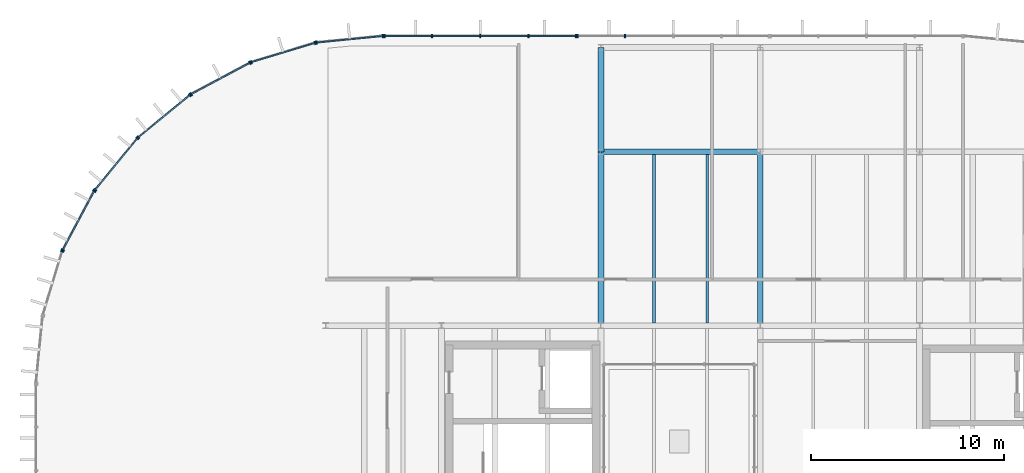
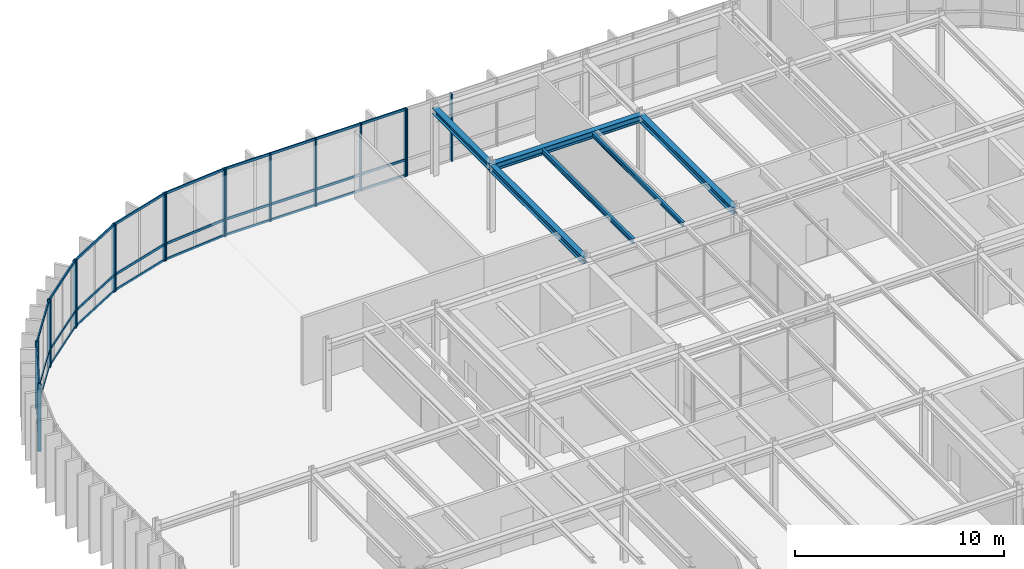
# One storey, part 13 of 21: 41 members, 6 beams, 9 elements without a shape of their own.
"""IFC4 building model written with IfcOpenShell, lengths in metres."""

from ifc_helpers import new_model, si_unit, direction, frame, origin, origin_2d, place, context, subcontext, project, spatial, rectangle, i_section, extrude, material, layer, layer_set, material_profile, profile_set, type_object, element, aggregate, save


model = new_model("IFC4")

# Units and contexts
model_context = context("Model", 3, precision=1e-05, world=origin(), true_north=direction((0.0, 1.0)))
body_context = subcontext(model_context, "Body", "Model", "MODEL_VIEW")
ifc_project = project(units=[si_unit("LENGTHUNIT", "METRE"), si_unit("AREAUNIT", "SQUARE_METRE"), si_unit("VOLUMEUNIT", "CUBIC_METRE"), si_unit("PLANEANGLEUNIT", "RADIAN"), si_unit("MASSUNIT", "GRAM", prefix="KILO")], contexts=[model_context])

# Site, building, storey
site_placement = place(None, origin())
site = spatial("IfcSite", under=ifc_project, at=site_placement, CompositionType="ELEMENT")
building_placement = place(site_placement, origin())
building = spatial("IfcBuilding", under=site, at=building_placement, Name="Montealbar Specialist Clinic", CompositionType="ELEMENT")
storey_placement = place(building_placement, frame((0.0, 0.0, 26.39990234375)))
storey = spatial("IfcBuildingStorey", under=building, at=storey_placement, Name="L06", CompositionType="ELEMENT", Elevation=26.39990234375)

# Beams
ifc_material_1 = material(Name="Steel S355", Category="steel")
ifc_material_profile_1 = material_profile(ifc_material_1, i_section(OverallWidth=0.300048828125, OverallDepth=0.360107421875, WebThickness=0.012451171875, FlangeThickness=0.0224609375, FilletRadius=0.027099609375, at=origin_2d()), Name="HEB 360", Category="steel")
ifc_profile_set_1 = profile_set([ifc_material_profile_1], Name="Steel S355")
beam_type_1 = type_object("IfcBeamType", Name="BM-GIRD-HEB360-EXT", PredefinedType="BEAM", material=ifc_profile_set_1)
beam_1_placement = place(storey_placement, frame((74.25, 45.0, 3.75), z_axis=(0.0, 1.0, 0.0), x_axis=(-1.0, 0.0, 0.0)))
element("IfcBeam", 1, at=beam_1_placement, inside=storey, type_object=beam_type_1, Name="Beam GY-L06-742-450-504", PredefinedType="BEAM", context=body_context, shape_type="SweptSolid", body=[
    extrude(i_section(OverallWidth=0.300048828125, OverallDepth=0.360107421875, WebThickness=0.012451171875, FlangeThickness=0.0224609375, FilletRadius=0.027099609375, at=origin_2d()), origin(), (0.0, 0.0, 1.0), 5.39990234375),
])
ifc_material_profile_2 = material_profile(ifc_material_1, i_section(OverallWidth=0.300048828125, OverallDepth=0.39990234375, WebThickness=0.013427734375, FlangeThickness=0.02392578125, FilletRadius=0.027099609375, at=origin_2d()), Name="HEB 400", Category="steel")
ifc_profile_set_2 = profile_set([ifc_material_profile_2], Name="Steel S355")
beam_type_2 = type_object("IfcBeamType", Name="BM-GIRD-HEB400-EXT", PredefinedType="BEAM", material=ifc_profile_set_2)
beam_2_placement = place(storey_placement, frame((74.25, 45.0, 3.72998046875), z_axis=(1.0, 0.0, 0.0), x_axis=(0.0, 1.0, 0.0)))
element("IfcBeam", 2, at=beam_2_placement, inside=storey, type_object=beam_type_2, Name="Beam GX-L06-742-825-450", PredefinedType="BEAM", context=body_context, shape_type="SweptSolid", body=[
    extrude(i_section(OverallWidth=0.300048828125, OverallDepth=0.39990234375, WebThickness=0.013427734375, FlangeThickness=0.02392578125, FilletRadius=0.027099609375, at=origin_2d()), origin(), (0.0, 0.0, 1.0), 8.25),
])
for number, where, z_axis, x_axis, name in (
    (3, (74.25, 36.0, 3.72998046875), (0.0, 1.0, 0.0), (-1.0, 0.0, 0.0), "Beam GY-L06-742-360-450"),
    (4, (82.5, 36.0, 3.72998046875), (0.0, 1.0, 0.0), (-1.0, 0.0, 0.0), "Beam GY-L06-825-360-450"),
):
    element("IfcBeam", number, at=place(storey_placement, frame(where, z_axis=z_axis, x_axis=x_axis)), inside=storey, type_object=beam_type_2, Name=name, PredefinedType="BEAM", context=body_context, shape_type="SweptSolid", body=[
        extrude(i_section(OverallWidth=0.300048828125, OverallDepth=0.39990234375, WebThickness=0.013427734375, FlangeThickness=0.02392578125, FilletRadius=0.027099609375, at=origin_2d()), origin(), (0.0, 0.0, 1.0), 9.0),
    ])
ifc_material_profile_3 = material_profile(ifc_material_1, i_section(OverallWidth=0.135009765625, OverallDepth=0.27001953125, WebThickness=0.006591796875, FlangeThickness=0.01025390625, FilletRadius=0.014892578125, at=origin_2d()), Name="IPE 270", Category="steel")
ifc_profile_set_3 = profile_set([ifc_material_profile_3], Name="Steel S355")
beam_type_3 = type_object("IfcBeamType", Name="BM-JST-IPE270", PredefinedType="JOIST", material=ifc_profile_set_3)
beam_3_placement = place(storey_placement, frame((79.75, 36.14990234375, 3.795166015625), z_axis=(0.0, 1.0, 0.0), x_axis=(-1.0, 0.0, 0.0)))
element("IfcBeam", 5, at=beam_3_placement, inside=storey, type_object=beam_type_3, Name="Beam JST-L06-798-362-448", PredefinedType="JOIST", context=body_context, shape_type="SweptSolid", body=[
    extrude(i_section(OverallWidth=0.135009765625, OverallDepth=0.27001953125, WebThickness=0.006591796875, FlangeThickness=0.01025390625, FilletRadius=0.014892578125, at=origin_2d()), origin(), (0.0, 0.0, 1.0), 8.7001953125),
])
ifc_material_profile_4 = material_profile(ifc_material_1, i_section(OverallWidth=0.14990234375, OverallDepth=0.300048828125, WebThickness=0.007080078125, FlangeThickness=0.0107421875, FilletRadius=0.014892578125, at=origin_2d()), Name="IPE 300", Category="steel")
ifc_profile_set_4 = profile_set([ifc_material_profile_4], Name="Steel S355")
beam_type_4 = type_object("IfcBeamType", Name="BM-JST-IPE300", PredefinedType="JOIST", material=ifc_profile_set_4)
beam_4_placement = place(storey_placement, frame((77.0, 36.14990234375, 3.780029296875), z_axis=(0.0, 1.0, 0.0), x_axis=(-1.0, 0.0, 0.0)))
element("IfcBeam", 6, at=beam_4_placement, inside=storey, type_object=beam_type_4, Name="Beam JST-L06-770-362-448", PredefinedType="JOIST", context=body_context, shape_type="SweptSolid", body=[
    extrude(i_section(OverallWidth=0.14990234375, OverallDepth=0.300048828125, WebThickness=0.007080078125, FlangeThickness=0.0107421875, FilletRadius=0.014892578125, at=origin_2d()), origin(), (0.0, 0.0, 1.0), 8.7001953125),
])

# Curtain wall, member
ifc_material_2 = material(Name="Low-E double glazing", Category="glass")
ifc_layer_1 = layer(ifc_material_2, 0.199951171875, Name="Low-E double glazing", Category="glass")
ifc_layer_set_1 = layer_set([ifc_layer_1], Name="Low-E double glazing")
curtain_wall_type_1 = type_object("IfcCurtainWallType", Name="CW-TYPE-12", PredefinedType="NOTDEFINED", material=ifc_layer_set_1)
curtain_wall_1_placement = place(storey_placement, origin())
curtain_wall_1 = element("IfcCurtainWall", 7, at=curtain_wall_1_placement, inside=storey, type_object=curtain_wall_type_1, Name="Unitised Curtain Wall CW-L06-453-365-464-399-264", PredefinedType="NOTDEFINED")
ifc_material_3 = material(Name="Anodised aluminium EN AW-6063", Category="aluminium")
ifc_material_profile_5 = material_profile(ifc_material_3, rectangle(XDim=0.070068359375, YDim=0.179931640625, at=origin_2d()), Name="ALU 70x180", Category="aluminium")
ifc_profile_set_5 = profile_set([ifc_material_profile_5], Name="Anodised aluminium EN AW-6063")
member_type_1 = type_object("IfcMemberType", Name="CW-MUL-200", PredefinedType="MULLION", material=ifc_profile_set_5)
member_1_placement = place(storey_placement, frame((46.35791015625, 39.85009765625, 0.0), z_axis=(0.0, 0.0, 1.0), x_axis=(0.290259134399, 0.956948083701, 0.0)))
member_1 = element("IfcMember", 8, at=member_1_placement, type_object=member_type_1, Name="Curtain Wall Mullion CW-L06-453-365-464-399-264-01", PredefinedType="MULLION", context=body_context, shape_type="SweptSolid", body=[
    extrude(rectangle(XDim=0.070068359375, YDim=0.179931640625, at=origin_2d()), origin(), (0.0, 0.0, 1.0), 3.93017578125),
])
aggregate(curtain_wall_1, [member_1])

# Curtain wall, members
curtain_wall_2_placement = place(storey_placement, origin())
curtain_wall_2 = element("IfcCurtainWall", 9, at=curtain_wall_2_placement, inside=storey, type_object=curtain_wall_type_1, Name="Unitised Curtain Wall CW-L06-464-399-480-430-264", PredefinedType="NOTDEFINED")
member_2_placement = place(storey_placement, frame((46.388916015625, 39.923095703125, 0.0), z_axis=(0.0, 0.0, 1.0), x_axis=(0.471529268958, 0.881850411644, 0.0)))
member_2 = element("IfcMember", 10, at=member_2_placement, type_object=member_type_1, Name="Curtain Wall Mullion CW-L06-464-399-480-430-264-00", PredefinedType="MULLION", context=body_context, shape_type="SweptSolid", body=[
    extrude(rectangle(XDim=0.070068359375, YDim=0.179931640625, at=origin_2d()), origin(), (0.0, 0.0, 1.0), 3.93017578125),
])
member_3_placement = place(storey_placement, frame((48.014892578125, 42.965087890625, 0.0), z_axis=(0.0, 0.0, 1.0), x_axis=(0.471529268958, 0.881850411644, 0.0)))
member_3 = element("IfcMember", 11, at=member_3_placement, type_object=member_type_1, Name="Curtain Wall Mullion CW-L06-464-399-480-430-264-01", PredefinedType="MULLION", context=body_context, shape_type="SweptSolid", body=[
    extrude(rectangle(XDim=0.070068359375, YDim=0.179931640625, at=origin_2d()), origin(), (0.0, 0.0, 1.0), 3.93017578125),
])

curtain_wall_3_placement = place(storey_placement, origin())
curtain_wall_3 = element("IfcCurtainWall", 12, at=curtain_wall_3_placement, inside=storey, type_object=curtain_wall_type_1, Name="Unitised Curtain Wall CW-L06-480-430-503-457-264", PredefinedType="NOTDEFINED")
member_4_placement = place(storey_placement, frame((48.05908203125, 43.031005859375, 0.0), z_axis=(0.0, 0.0, 1.0), x_axis=(0.634255808922, 0.773123255923, 0.0)))
member_4 = element("IfcMember", 13, at=member_4_placement, type_object=member_type_1, Name="Curtain Wall Mullion CW-L06-480-430-503-457-264-00", PredefinedType="MULLION", context=body_context, shape_type="SweptSolid", body=[
    extrude(rectangle(XDim=0.070068359375, YDim=0.179931640625, at=origin_2d()), origin(), (0.0, 0.0, 1.0), 3.93017578125),
])
member_5_placement = place(storey_placement, frame((50.2470703125, 45.697021484375, 0.0), z_axis=(0.0, 0.0, 1.0), x_axis=(0.634255808922, 0.773123255923, 0.0)))
member_5 = element("IfcMember", 14, at=member_5_placement, type_object=member_type_1, Name="Curtain Wall Mullion CW-L06-480-430-503-457-264-01", PredefinedType="MULLION", context=body_context, shape_type="SweptSolid", body=[
    extrude(rectangle(XDim=0.070068359375, YDim=0.179931640625, at=origin_2d()), origin(), (0.0, 0.0, 1.0), 3.93017578125),
])

curtain_wall_4_placement = place(storey_placement, origin())
curtain_wall_4 = element("IfcCurtainWall", 15, at=curtain_wall_4_placement, inside=storey, type_object=curtain_wall_type_1, Name="Unitised Curtain Wall CW-L06-503-457-530-480-264", PredefinedType="NOTDEFINED")
member_6_placement = place(storey_placement, frame((50.302978515625, 45.7529296875, 0.0), z_axis=(0.0, 0.0, 1.0), x_axis=(0.773123255923, 0.634255808922, 0.0)))
member_6 = element("IfcMember", 16, at=member_6_placement, type_object=member_type_1, Name="Curtain Wall Mullion CW-L06-503-457-530-480-264-00", PredefinedType="MULLION", context=body_context, shape_type="SweptSolid", body=[
    extrude(rectangle(XDim=0.070068359375, YDim=0.179931640625, at=origin_2d()), origin(), (0.0, 0.0, 1.0), 3.93017578125),
])
member_7_placement = place(storey_placement, frame((52.968994140625, 47.94091796875, 0.0), z_axis=(0.0, 0.0, 1.0), x_axis=(0.773123255923, 0.634255808922, 0.0)))
member_7 = element("IfcMember", 17, at=member_7_placement, type_object=member_type_1, Name="Curtain Wall Mullion CW-L06-503-457-530-480-264-01", PredefinedType="MULLION", context=body_context, shape_type="SweptSolid", body=[
    extrude(rectangle(XDim=0.070068359375, YDim=0.179931640625, at=origin_2d()), origin(), (0.0, 0.0, 1.0), 3.93017578125),
])

curtain_wall_5_placement = place(storey_placement, origin())
curtain_wall_5 = element("IfcCurtainWall", 18, at=curtain_wall_5_placement, inside=storey, type_object=curtain_wall_type_1, Name="Unitised Curtain Wall CW-L06-530-480-561-496-264", PredefinedType="NOTDEFINED")
member_8_placement = place(storey_placement, frame((53.034912109375, 47.985107421875, 0.0), z_axis=(0.0, 0.0, 1.0), x_axis=(0.881850411644, 0.471529268958, 0.0)))
member_8 = element("IfcMember", 19, at=member_8_placement, type_object=member_type_1, Name="Curtain Wall Mullion CW-L06-530-480-561-496-264-00", PredefinedType="MULLION", context=body_context, shape_type="SweptSolid", body=[
    extrude(rectangle(XDim=0.070068359375, YDim=0.179931640625, at=origin_2d()), origin(), (0.0, 0.0, 1.0), 3.93017578125),
])
member_9_placement = place(storey_placement, frame((56.076904296875, 49.611083984375, 0.0), z_axis=(0.0, 0.0, 1.0), x_axis=(0.881850411644, 0.471529268958, 0.0)))
member_9 = element("IfcMember", 20, at=member_9_placement, type_object=member_type_1, Name="Curtain Wall Mullion CW-L06-530-480-561-496-264-01", PredefinedType="MULLION", context=body_context, shape_type="SweptSolid", body=[
    extrude(rectangle(XDim=0.070068359375, YDim=0.179931640625, at=origin_2d()), origin(), (0.0, 0.0, 1.0), 3.93017578125),
])

curtain_wall_6_placement = place(storey_placement, origin())
curtain_wall_6 = element("IfcCurtainWall", 21, at=curtain_wall_6_placement, inside=storey, type_object=curtain_wall_type_1, Name="Unitised Curtain Wall CW-L06-561-496-595-507-264", PredefinedType="NOTDEFINED")
member_10_placement = place(storey_placement, frame((56.14990234375, 49.64208984375, 0.0), z_axis=(0.0, 0.0, 1.0), x_axis=(0.956948083701, 0.290259134399, 0.0)))
member_10 = element("IfcMember", 22, at=member_10_placement, type_object=member_type_1, Name="Curtain Wall Mullion CW-L06-561-496-595-507-264-00", PredefinedType="MULLION", context=body_context, shape_type="SweptSolid", body=[
    extrude(rectangle(XDim=0.070068359375, YDim=0.179931640625, at=origin_2d()), origin(), (0.0, 0.0, 1.0), 3.93017578125),
])
member_11_placement = place(storey_placement, frame((59.449951171875, 50.64208984375, 0.0), z_axis=(0.0, 0.0, 1.0), x_axis=(0.956948083701, 0.290259134399, 0.0)))
member_11 = element("IfcMember", 23, at=member_11_placement, type_object=member_type_1, Name="Curtain Wall Mullion CW-L06-561-496-595-507-264-01", PredefinedType="MULLION", context=body_context, shape_type="SweptSolid", body=[
    extrude(rectangle(XDim=0.070068359375, YDim=0.179931640625, at=origin_2d()), origin(), (0.0, 0.0, 1.0), 3.93017578125),
])

curtain_wall_7_placement = place(storey_placement, origin())
curtain_wall_7 = element("IfcCurtainWall", 24, at=curtain_wall_7_placement, inside=storey, type_object=curtain_wall_type_1, Name="Unitised Curtain Wall CW-L06-595-507-630-510-264", PredefinedType="NOTDEFINED")
member_12_placement = place(storey_placement, frame((59.528076171875, 50.657958984375, 0.0), z_axis=(0.0, 0.0, 1.0), x_axis=(0.995182012183, 0.098044697094, 0.0)))
member_12 = element("IfcMember", 25, at=member_12_placement, type_object=member_type_1, Name="Curtain Wall Mullion CW-L06-595-507-630-510-264-00", PredefinedType="MULLION", context=body_context, shape_type="SweptSolid", body=[
    extrude(rectangle(XDim=0.070068359375, YDim=0.179931640625, at=origin_2d()), origin(), (0.0, 0.0, 1.0), 3.93017578125),
])
member_13_placement = place(storey_placement, frame((62.9599609375, 50.99609375, 0.0), z_axis=(0.0, 0.0, 1.0), x_axis=(0.995182012183, 0.098044697094, 0.0)))
member_13 = element("IfcMember", 26, at=member_13_placement, type_object=member_type_1, Name="Curtain Wall Mullion CW-L06-595-507-630-510-264-01", PredefinedType="MULLION", context=body_context, shape_type="SweptSolid", body=[
    extrude(rectangle(XDim=0.070068359375, YDim=0.179931640625, at=origin_2d()), origin(), (0.0, 0.0, 1.0), 3.93017578125),
])

ifc_layer_2 = layer(ifc_material_2, 0.199951171875, Name="Low-E double glazing", Category="glass")
ifc_layer_set_2 = layer_set([ifc_layer_2], Name="Low-E double glazing")
curtain_wall_type_2 = type_object("IfcCurtainWallType", Name="CW-TYPE-43", PredefinedType="NOTDEFINED", material=ifc_layer_set_2)
curtain_wall_8_placement = place(storey_placement, origin())
curtain_wall_8 = element("IfcCurtainWall", 27, at=curtain_wall_8_placement, inside=storey, type_object=curtain_wall_type_2, Name="Unitised Curtain Wall CW-L06-630-510-730-510-264", PredefinedType="NOTDEFINED")
member_14_placement = place(storey_placement, frame((63.0400390625, 51.0, 0.0), z_axis=(0.0, 0.0, 1.0), x_axis=(1.0, 0.0, 0.0)))
member_14 = element("IfcMember", 28, at=member_14_placement, type_object=member_type_1, Name="Curtain Wall Mullion CW-L06-630-510-730-510-264-00", PredefinedType="MULLION", context=body_context, shape_type="SweptSolid", body=[
    extrude(rectangle(XDim=0.070068359375, YDim=0.179931640625, at=origin_2d()), origin(), (0.0, 0.0, 1.0), 3.93017578125),
])
member_15_placement = place(storey_placement, frame((65.5, 51.0, 0.0), z_axis=(0.0, 0.0, 1.0), x_axis=(1.0, 0.0, 0.0)))
member_15 = element("IfcMember", 29, at=member_15_placement, type_object=member_type_1, Name="Curtain Wall Mullion CW-L06-630-510-730-510-264-01", PredefinedType="MULLION", context=body_context, shape_type="SweptSolid", body=[
    extrude(rectangle(XDim=0.070068359375, YDim=0.179931640625, at=origin_2d()), origin(), (0.0, 0.0, 1.0), 3.93017578125),
])
member_16_placement = place(storey_placement, frame((68.0, 51.0, 0.0), z_axis=(0.0, 0.0, 1.0), x_axis=(1.0, 0.0, 0.0)))
member_16 = element("IfcMember", 30, at=member_16_placement, type_object=member_type_1, Name="Curtain Wall Mullion CW-L06-630-510-730-510-264-02", PredefinedType="MULLION", context=body_context, shape_type="SweptSolid", body=[
    extrude(rectangle(XDim=0.070068359375, YDim=0.179931640625, at=origin_2d()), origin(), (0.0, 0.0, 1.0), 3.93017578125),
])
member_17_placement = place(storey_placement, frame((70.5, 51.0, 0.0), z_axis=(0.0, 0.0, 1.0), x_axis=(1.0, 0.0, 0.0)))
member_17 = element("IfcMember", 31, at=member_17_placement, type_object=member_type_1, Name="Curtain Wall Mullion CW-L06-630-510-730-510-264-03", PredefinedType="MULLION", context=body_context, shape_type="SweptSolid", body=[
    extrude(rectangle(XDim=0.070068359375, YDim=0.179931640625, at=origin_2d()), origin(), (0.0, 0.0, 1.0), 3.93017578125),
])
member_18_placement = place(storey_placement, frame((72.9599609375, 51.0, 0.0), z_axis=(0.0, 0.0, 1.0), x_axis=(1.0, 0.0, 0.0)))
member_18 = element("IfcMember", 32, at=member_18_placement, type_object=member_type_1, Name="Curtain Wall Mullion CW-L06-630-510-730-510-264-04", PredefinedType="MULLION", context=body_context, shape_type="SweptSolid", body=[
    extrude(rectangle(XDim=0.070068359375, YDim=0.179931640625, at=origin_2d()), origin(), (0.0, 0.0, 1.0), 3.93017578125),
])

curtain_wall_9_placement = place(storey_placement, origin())
curtain_wall_9 = element("IfcCurtainWall", 33, at=curtain_wall_9_placement, inside=storey, type_object=curtain_wall_type_2, Name="Unitised Curtain Wall CW-L06-730-510-830-510-264", PredefinedType="NOTDEFINED")
member_19_placement = place(storey_placement, frame((73.0400390625, 51.0, 0.0), z_axis=(0.0, 0.0, 1.0), x_axis=(1.0, 0.0, 0.0)))
member_19 = element("IfcMember", 34, at=member_19_placement, type_object=member_type_1, Name="Curtain Wall Mullion CW-L06-730-510-830-510-264-00", PredefinedType="MULLION", context=body_context, shape_type="SweptSolid", body=[
    extrude(rectangle(XDim=0.070068359375, YDim=0.179931640625, at=origin_2d()), origin(), (0.0, 0.0, 1.0), 3.93017578125),
])
member_20_placement = place(storey_placement, frame((75.5, 51.0, 0.0), z_axis=(0.0, 0.0, 1.0), x_axis=(1.0, 0.0, 0.0)))
member_20 = element("IfcMember", 35, at=member_20_placement, type_object=member_type_1, Name="Curtain Wall Mullion CW-L06-730-510-830-510-264-01", PredefinedType="MULLION", context=body_context, shape_type="SweptSolid", body=[
    extrude(rectangle(XDim=0.070068359375, YDim=0.179931640625, at=origin_2d()), origin(), (0.0, 0.0, 1.0), 3.93017578125),
])
aggregate(curtain_wall_9, [member_19, member_20])

# Member
ifc_material_4 = material(Name="Powder-coated aluminium", Category="aluminium")
ifc_material_profile_6 = material_profile(ifc_material_4, rectangle(XDim=0.070068359375, YDim=0.139892578125, at=origin_2d()), Name="ALU 70x140", Category="aluminium")
ifc_profile_set_6 = profile_set([ifc_material_profile_6], Name="Powder-coated aluminium")
member_type_2 = type_object("IfcMemberType", Name="CW-TRN-140", PredefinedType="USERDEFINED", material=ifc_profile_set_6)
member_21_placement = place(storey_placement, frame((46.39404296875, 39.931884765625, 0.0400390625), z_axis=(0.471286558069, 0.881980147273, 0.0), x_axis=(-0.881980147273, 0.471286558069, 0.0)))
member_21 = element("IfcMember", 36, at=member_21_placement, type_object=member_type_2, Name="Curtain Wall Transom CW-L06-464-399-480-430-264-00", ObjectType="TRANSOM", PredefinedType="USERDEFINED", context=body_context, shape_type="SweptSolid", body=[
    extrude(rectangle(XDim=0.070068359375, YDim=0.139892578125, at=origin_2d()), origin(), (0.0, 0.0, 1.0), 3.428955078125),
])

member_22_placement = place(storey_placement, frame((46.39404296875, 39.931884765625, 0.9501953125), z_axis=(0.471286558069, 0.881980147273, 0.0), x_axis=(-0.881980147273, 0.471286558069, 0.0)))
member_22 = element("IfcMember", 37, at=member_22_placement, type_object=member_type_2, Name="Curtain Wall Transom CW-L06-464-399-480-430-264-01", ObjectType="TRANSOM", PredefinedType="USERDEFINED", context=body_context, shape_type="SweptSolid", body=[
    extrude(rectangle(XDim=0.070068359375, YDim=0.139892578125, at=origin_2d()), origin(), (0.0, 0.0, 1.0), 3.428955078125),
])

member_23_placement = place(storey_placement, frame((46.39404296875, 39.931884765625, 3.89013671875), z_axis=(0.471286558069, 0.881980147273, 0.0), x_axis=(-0.881980147273, 0.471286558069, 0.0)))
member_23 = element("IfcMember", 38, at=member_23_placement, type_object=member_type_2, Name="Curtain Wall Transom CW-L06-464-399-480-430-264-02", ObjectType="TRANSOM", PredefinedType="USERDEFINED", context=body_context, shape_type="SweptSolid", body=[
    extrude(rectangle(XDim=0.070068359375, YDim=0.139892578125, at=origin_2d()), origin(), (0.0, 0.0, 1.0), 3.428955078125),
])

aggregate(curtain_wall_2, [member_2, member_3, member_21, member_22, member_23])

member_24_placement = place(storey_placement, frame((48.06591796875, 43.0390625, 0.0400390625), z_axis=(0.634280591441, 0.773102924144, 0.0), x_axis=(-0.773102924144, 0.634280591441, 0.0)))
member_24 = element("IfcMember", 39, at=member_24_placement, type_object=member_type_2, Name="Curtain Wall Transom CW-L06-480-430-503-457-264-00", ObjectType="TRANSOM", PredefinedType="USERDEFINED", context=body_context, shape_type="SweptSolid", body=[
    extrude(rectangle(XDim=0.070068359375, YDim=0.139892578125, at=origin_2d()), origin(), (0.0, 0.0, 1.0), 3.427734375),
])

member_25_placement = place(storey_placement, frame((48.06591796875, 43.0390625, 0.9501953125), z_axis=(0.634280591441, 0.773102924144, 0.0), x_axis=(-0.773102924144, 0.634280591441, 0.0)))
member_25 = element("IfcMember", 40, at=member_25_placement, type_object=member_type_2, Name="Curtain Wall Transom CW-L06-480-430-503-457-264-01", ObjectType="TRANSOM", PredefinedType="USERDEFINED", context=body_context, shape_type="SweptSolid", body=[
    extrude(rectangle(XDim=0.070068359375, YDim=0.139892578125, at=origin_2d()), origin(), (0.0, 0.0, 1.0), 3.427734375),
])

member_26_placement = place(storey_placement, frame((48.06591796875, 43.0390625, 3.89013671875), z_axis=(0.634280591441, 0.773102924144, 0.0), x_axis=(-0.773102924144, 0.634280591441, 0.0)))
member_26 = element("IfcMember", 41, at=member_26_placement, type_object=member_type_2, Name="Curtain Wall Transom CW-L06-480-430-503-457-264-02", ObjectType="TRANSOM", PredefinedType="USERDEFINED", context=body_context, shape_type="SweptSolid", body=[
    extrude(rectangle(XDim=0.070068359375, YDim=0.139892578125, at=origin_2d()), origin(), (0.0, 0.0, 1.0), 3.427734375),
])

aggregate(curtain_wall_3, [member_4, member_5, member_24, member_25, member_26])

member_27_placement = place(storey_placement, frame((50.31103515625, 45.760009765625, 0.0400390625), z_axis=(0.773102924144, 0.634280591441, 0.0), x_axis=(-0.634280591441, 0.773102924144, 0.0)))
member_27 = element("IfcMember", 42, at=member_27_placement, type_object=member_type_2, Name="Curtain Wall Transom CW-L06-503-457-530-480-264-00", ObjectType="TRANSOM", PredefinedType="USERDEFINED", context=body_context, shape_type="SweptSolid", body=[
    extrude(rectangle(XDim=0.070068359375, YDim=0.139892578125, at=origin_2d()), origin(), (0.0, 0.0, 1.0), 3.427734375),
])

member_28_placement = place(storey_placement, frame((50.31103515625, 45.760009765625, 0.9501953125), z_axis=(0.773102924144, 0.634280591441, 0.0), x_axis=(-0.634280591441, 0.773102924144, 0.0)))
member_28 = element("IfcMember", 43, at=member_28_placement, type_object=member_type_2, Name="Curtain Wall Transom CW-L06-503-457-530-480-264-01", ObjectType="TRANSOM", PredefinedType="USERDEFINED", context=body_context, shape_type="SweptSolid", body=[
    extrude(rectangle(XDim=0.070068359375, YDim=0.139892578125, at=origin_2d()), origin(), (0.0, 0.0, 1.0), 3.427734375),
])

member_29_placement = place(storey_placement, frame((50.31103515625, 45.760009765625, 3.89013671875), z_axis=(0.773102924144, 0.634280591441, 0.0), x_axis=(-0.634280591441, 0.773102924144, 0.0)))
member_29 = element("IfcMember", 44, at=member_29_placement, type_object=member_type_2, Name="Curtain Wall Transom CW-L06-503-457-530-480-264-02", ObjectType="TRANSOM", PredefinedType="USERDEFINED", context=body_context, shape_type="SweptSolid", body=[
    extrude(rectangle(XDim=0.070068359375, YDim=0.139892578125, at=origin_2d()), origin(), (0.0, 0.0, 1.0), 3.427734375),
])

aggregate(curtain_wall_4, [member_6, member_7, member_27, member_28, member_29])

member_30_placement = place(storey_placement, frame((53.0439453125, 47.989990234375, 0.0400390625), z_axis=(0.881980147273, 0.471286558069, 0.0), x_axis=(-0.471286558069, 0.881980147273, 0.0)))
member_30 = element("IfcMember", 45, at=member_30_placement, type_object=member_type_2, Name="Curtain Wall Transom CW-L06-530-480-561-496-264-00", ObjectType="TRANSOM", PredefinedType="USERDEFINED", context=body_context, shape_type="SweptSolid", body=[
    extrude(rectangle(XDim=0.070068359375, YDim=0.139892578125, at=origin_2d()), origin(), (0.0, 0.0, 1.0), 3.428955078125),
])

member_31_placement = place(storey_placement, frame((53.0439453125, 47.989990234375, 0.9501953125), z_axis=(0.881980147273, 0.471286558069, 0.0), x_axis=(-0.471286558069, 0.881980147273, 0.0)))
member_31 = element("IfcMember", 46, at=member_31_placement, type_object=member_type_2, Name="Curtain Wall Transom CW-L06-530-480-561-496-264-01", ObjectType="TRANSOM", PredefinedType="USERDEFINED", context=body_context, shape_type="SweptSolid", body=[
    extrude(rectangle(XDim=0.070068359375, YDim=0.139892578125, at=origin_2d()), origin(), (0.0, 0.0, 1.0), 3.428955078125),
])

member_32_placement = place(storey_placement, frame((53.0439453125, 47.989990234375, 3.89013671875), z_axis=(0.881980147273, 0.471286558069, 0.0), x_axis=(-0.471286558069, 0.881980147273, 0.0)))
member_32 = element("IfcMember", 47, at=member_32_placement, type_object=member_type_2, Name="Curtain Wall Transom CW-L06-530-480-561-496-264-02", ObjectType="TRANSOM", PredefinedType="USERDEFINED", context=body_context, shape_type="SweptSolid", body=[
    extrude(rectangle(XDim=0.070068359375, YDim=0.139892578125, at=origin_2d()), origin(), (0.0, 0.0, 1.0), 3.428955078125),
])

aggregate(curtain_wall_5, [member_8, member_9, member_30, member_31, member_32])

member_33_placement = place(storey_placement, frame((56.159912109375, 49.64501953125, 0.0400390625), z_axis=(0.957028598092, 0.289993555849, 0.0), x_axis=(-0.289993555849, 0.957028598092, 0.0)))
member_33 = element("IfcMember", 48, at=member_33_placement, type_object=member_type_2, Name="Curtain Wall Transom CW-L06-561-496-595-507-264-00", ObjectType="TRANSOM", PredefinedType="USERDEFINED", context=body_context, shape_type="SweptSolid", body=[
    extrude(rectangle(XDim=0.070068359375, YDim=0.139892578125, at=origin_2d()), origin(), (0.0, 0.0, 1.0), 3.42724609375),
])

member_34_placement = place(storey_placement, frame((56.159912109375, 49.64501953125, 0.9501953125), z_axis=(0.957028598092, 0.289993555849, 0.0), x_axis=(-0.289993555849, 0.957028598092, 0.0)))
member_34 = element("IfcMember", 49, at=member_34_placement, type_object=member_type_2, Name="Curtain Wall Transom CW-L06-561-496-595-507-264-01", ObjectType="TRANSOM", PredefinedType="USERDEFINED", context=body_context, shape_type="SweptSolid", body=[
    extrude(rectangle(XDim=0.070068359375, YDim=0.139892578125, at=origin_2d()), origin(), (0.0, 0.0, 1.0), 3.42724609375),
])

member_35_placement = place(storey_placement, frame((56.159912109375, 49.64501953125, 3.89013671875), z_axis=(0.957028598092, 0.289993555849, 0.0), x_axis=(-0.289993555849, 0.957028598092, 0.0)))
member_35 = element("IfcMember", 50, at=member_35_placement, type_object=member_type_2, Name="Curtain Wall Transom CW-L06-561-496-595-507-264-02", ObjectType="TRANSOM", PredefinedType="USERDEFINED", context=body_context, shape_type="SweptSolid", body=[
    extrude(rectangle(XDim=0.070068359375, YDim=0.139892578125, at=origin_2d()), origin(), (0.0, 0.0, 1.0), 3.42724609375),
])

aggregate(curtain_wall_6, [member_10, member_11, member_33, member_34, member_35])

member_36_placement = place(storey_placement, frame((59.5380859375, 50.658935546875, 0.0400390625), z_axis=(0.995180678623, 0.098058232162, 0.0), x_axis=(-0.098058232162, 0.995180678623, 0.0)))
member_36 = element("IfcMember", 51, at=member_36_placement, type_object=member_type_2, Name="Curtain Wall Transom CW-L06-595-507-630-510-264-00", ObjectType="TRANSOM", PredefinedType="USERDEFINED", context=body_context, shape_type="SweptSolid", body=[
    extrude(rectangle(XDim=0.070068359375, YDim=0.139892578125, at=origin_2d()), origin(), (0.0, 0.0, 1.0), 3.428466796875),
])

member_37_placement = place(storey_placement, frame((59.5380859375, 50.658935546875, 0.9501953125), z_axis=(0.995180678623, 0.098058232162, 0.0), x_axis=(-0.098058232162, 0.995180678623, 0.0)))
member_37 = element("IfcMember", 52, at=member_37_placement, type_object=member_type_2, Name="Curtain Wall Transom CW-L06-595-507-630-510-264-01", ObjectType="TRANSOM", PredefinedType="USERDEFINED", context=body_context, shape_type="SweptSolid", body=[
    extrude(rectangle(XDim=0.070068359375, YDim=0.139892578125, at=origin_2d()), origin(), (0.0, 0.0, 1.0), 3.428466796875),
])

member_38_placement = place(storey_placement, frame((59.5380859375, 50.658935546875, 3.89013671875), z_axis=(0.995180678623, 0.098058232162, 0.0), x_axis=(-0.098058232162, 0.995180678623, 0.0)))
member_38 = element("IfcMember", 53, at=member_38_placement, type_object=member_type_2, Name="Curtain Wall Transom CW-L06-595-507-630-510-264-02", ObjectType="TRANSOM", PredefinedType="USERDEFINED", context=body_context, shape_type="SweptSolid", body=[
    extrude(rectangle(XDim=0.070068359375, YDim=0.139892578125, at=origin_2d()), origin(), (0.0, 0.0, 1.0), 3.428466796875),
])

aggregate(curtain_wall_7, [member_12, member_13, member_36, member_37, member_38])

member_39_placement = place(storey_placement, frame((63.050048828125, 51.0, 0.0400390625), z_axis=(1.0, 0.0, 0.0), x_axis=(0.0, 1.0, 0.0)))
member_39 = element("IfcMember", 54, at=member_39_placement, type_object=member_type_2, Name="Curtain Wall Transom CW-L06-630-510-730-510-264-00", ObjectType="TRANSOM", PredefinedType="USERDEFINED", context=body_context, shape_type="SweptSolid", body=[
    extrude(rectangle(XDim=0.070068359375, YDim=0.139892578125, at=origin_2d()), origin(), (0.0, 0.0, 1.0), 9.89990234375),
])

member_40_placement = place(storey_placement, frame((63.050048828125, 51.0, 0.9501953125), z_axis=(1.0, 0.0, 0.0), x_axis=(0.0, 1.0, 0.0)))
member_40 = element("IfcMember", 55, at=member_40_placement, type_object=member_type_2, Name="Curtain Wall Transom CW-L06-630-510-730-510-264-01", ObjectType="TRANSOM", PredefinedType="USERDEFINED", context=body_context, shape_type="SweptSolid", body=[
    extrude(rectangle(XDim=0.070068359375, YDim=0.139892578125, at=origin_2d()), origin(), (0.0, 0.0, 1.0), 9.89990234375),
])

member_41_placement = place(storey_placement, frame((63.050048828125, 51.0, 3.89013671875), z_axis=(1.0, 0.0, 0.0), x_axis=(0.0, 1.0, 0.0)))
member_41 = element("IfcMember", 56, at=member_41_placement, type_object=member_type_2, Name="Curtain Wall Transom CW-L06-630-510-730-510-264-02", ObjectType="TRANSOM", PredefinedType="USERDEFINED", context=body_context, shape_type="SweptSolid", body=[
    extrude(rectangle(XDim=0.070068359375, YDim=0.139892578125, at=origin_2d()), origin(), (0.0, 0.0, 1.0), 9.89990234375),
])

aggregate(curtain_wall_8, [member_14, member_15, member_16, member_17, member_18, member_39, member_40, member_41])

save(model, "model.ifc")
